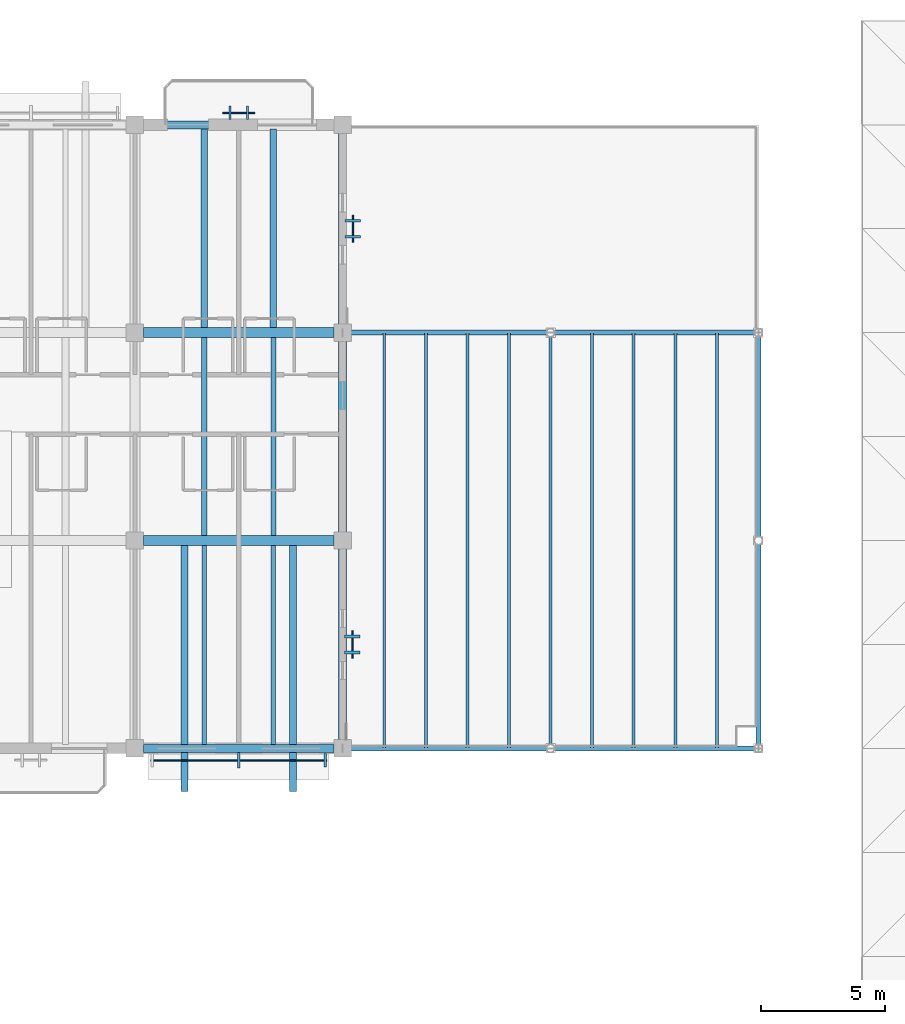
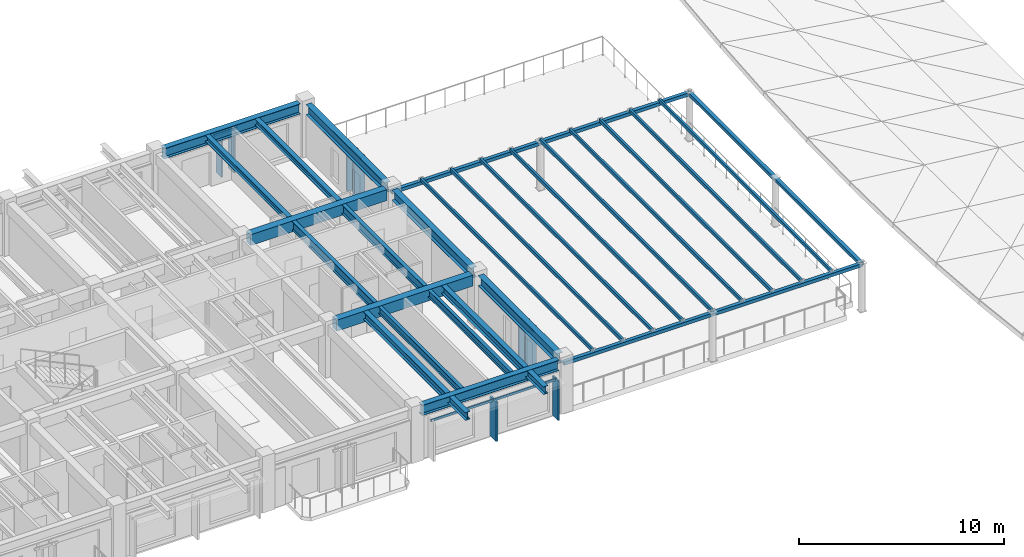
# One storey, part 58 of 93: 24 members, 15 beams, 4 elements without a shape of their own.
"""IFC4 building model written with IfcOpenShell, lengths in metres."""

from ifc_helpers import new_model, si_unit, direction, frame, origin, origin_2d, place, context, subcontext, project, spatial, rectangle, hollow_rectangle, i_section, extrude, material, material_profile, profile_set, type_object, element, aggregate, save


model = new_model("IFC4")

# Units and contexts
model_context = context("Model", 3, precision=1e-05, world=origin(), true_north=direction((0.0, 1.0)))
body_context = subcontext(model_context, "Body", "Model", "MODEL_VIEW")
ifc_project = project(units=[si_unit("LENGTHUNIT", "METRE"), si_unit("AREAUNIT", "SQUARE_METRE"), si_unit("VOLUMEUNIT", "CUBIC_METRE"), si_unit("PLANEANGLEUNIT", "RADIAN"), si_unit("MASSUNIT", "GRAM", prefix="KILO")], contexts=[model_context])

# Site, building, storey
site_placement = place(None, origin())
site = spatial("IfcSite", under=ifc_project, at=site_placement, CompositionType="ELEMENT")
building_placement = place(site_placement, origin())
building = spatial("IfcBuilding", under=site, at=building_placement, Name="Cumbredor Promenade Congress Hotel", CompositionType="ELEMENT")
storey_placement = place(building_placement, frame((0.0, 0.0, 21.840087890625)))
storey = spatial("IfcBuildingStorey", under=building, at=storey_placement, Name="L06", CompositionType="ELEMENT", Elevation=21.840087890625)

# Beams
ifc_material_1 = material(Name="Concrete C40/50", Category="concrete")
ifc_material_profile_1 = material_profile(ifc_material_1, rectangle(XDim=0.39990234375, YDim=0.64990234375, at=origin_2d()), Name="RC BEAM 400x650")
ifc_profile_set_1 = profile_set([ifc_material_profile_1], Name="Concrete C40/50")
beam_type_1 = type_object("IfcBeamType", Name="BM-RC-400x650", PredefinedType="BEAM", material=ifc_profile_set_1)
for number, where, z_axis, x_axis, name in (
    (1, (59.14990234375, 100.800048828125, 2.794921875), (1.0, 0.0, 0.0), (0.0, 1.0, 0.0), "L07 X-Grid Beam 047"),
    (2, (59.14990234375, 109.199951171875, 2.794921875), (1.0, 0.0, 0.0), (0.0, 1.0, 0.0), "L07 X-Grid Beam 049"),
):
    element("IfcBeam", number, at=place(storey_placement, frame(where, z_axis=z_axis, x_axis=x_axis)), inside=storey, type_object=beam_type_1, Name=name, PredefinedType="BEAM", context=body_context, shape_type="SweptSolid", body=[
        extrude(rectangle(XDim=0.39990234375, YDim=0.64990234375, at=origin_2d()), origin(), (0.0, 0.0, 1.0), 7.7001953125),
    ])
ifc_material_2 = material(Name="Steel ASTM A992 Grade 50", Category="steel")
ifc_material_profile_2 = material_profile(ifc_material_2, i_section(OverallWidth=0.323974609375, OverallDepth=0.611083984375, WebThickness=0.0126953125, FlangeThickness=0.01904296875, at=origin_2d()), Name="W24X104")
ifc_profile_set_2 = profile_set([ifc_material_profile_2], Name="Steel ASTM A992 Grade 50")
beam_type_2 = type_object("IfcBeamType", Name="BM-W24X104", PredefinedType="BEAM", material=ifc_profile_set_2)
for number, where, z_axis, x_axis, name in (
    (3, (59.14990234375, 92.39990234375, 2.814453125), (1.0, 0.0, 0.0), (0.0, 1.0, 0.0), "L07 X-Grid Beam 045"),
    (4, (59.14990234375, 117.60009765625, 2.814453125), (1.0, 0.0, 0.0), (0.0, 1.0, 0.0), "L07 X-Grid Beam 051"),
):
    element("IfcBeam", number, at=place(storey_placement, frame(where, z_axis=z_axis, x_axis=x_axis)), inside=storey, type_object=beam_type_2, Name=name, PredefinedType="BEAM", context=body_context, shape_type="SweptSolid", body=[
        extrude(i_section(OverallWidth=0.323974609375, OverallDepth=0.611083984375, WebThickness=0.0126953125, FlangeThickness=0.01904296875, at=origin_2d()), origin(), (0.0, 0.0, 1.0), 7.7001953125),
    ])

# Curtain wall, member
ifc_material_3 = material(Name="Thermally broken anodized aluminium and low-E glass", Category="aluminium")
curtain_wall_type = type_object("IfcCurtainWallType", Name="Solar Brise-Soleil Screen Assembly CW-07", PredefinedType="NOTDEFINED", material=ifc_material_3)
curtain_wall_1_placement = place(storey_placement, origin())
curtain_wall_1 = element("IfcCurtainWall", 5, at=curtain_wall_1_placement, inside=storey, type_object=curtain_wall_type, Name="L06 Hospitality Brise-Soleil Screen 091", PredefinedType="NOTDEFINED")
ifc_material_4 = material(Name="Thermally broken anodized aluminium", Category="aluminium")
ifc_material_profile_3 = material_profile(ifc_material_4, rectangle(XDim=0.06494140625, YDim=0.1298828125, at=origin_2d()), Name="ALU TRANSOM 65x130")
ifc_profile_set_3 = profile_set([ifc_material_profile_3], Name="Thermally broken anodized aluminium")
member_type_1 = type_object("IfcMemberType", Name="Curtain Wall Transom TR-01", PredefinedType="USERDEFINED", material=ifc_profile_set_3)
member_1_placement = place(storey_placement, frame((59.450927734375, 91.9150390625, 2.31396484375), z_axis=(1.0, 0.0, 0.0), x_axis=(0.0, 1.0, 0.0)))
member_1 = element("IfcMember", 6, at=member_1_placement, type_object=member_type_1, Name="L06 Brise-Soleil Screen Transom 091", ObjectType="TRANSOM", PredefinedType="USERDEFINED", context=body_context, shape_type="SweptSolid", body=[
    extrude(rectangle(XDim=0.06494140625, YDim=0.1298828125, at=origin_2d()), origin(), (0.0, 0.0, 1.0), 7.09814453125),
])

curtain_wall_2_placement = place(storey_placement, origin())
curtain_wall_2 = element("IfcCurtainWall", 7, at=curtain_wall_2_placement, inside=storey, type_object=curtain_wall_type, Name="L06 Veranda Solar Brise-Soleil Screen 964", PredefinedType="NOTDEFINED")
member_2_placement = place(storey_placement, frame((62.35009765625, 118.0849609375, 2.413818359375), z_axis=(1.0, 0.0, 0.0), x_axis=(0.0, 1.0, 0.0)))
member_2 = element("IfcMember", 8, at=member_2_placement, type_object=member_type_1, Name="L06 Brise-Soleil Header Tie 0966", ObjectType="TRANSOM", PredefinedType="USERDEFINED", context=body_context, shape_type="SweptSolid", body=[
    extrude(rectangle(XDim=0.06494140625, YDim=0.1298828125, at=origin_2d()), origin(), (0.0, 0.0, 1.0), 1.2998046875),
])

curtain_wall_3_placement = place(storey_placement, origin())
curtain_wall_3 = element("IfcCurtainWall", 9, at=curtain_wall_3_placement, inside=storey, type_object=curtain_wall_type, Name="L06 Pier Brise-Soleil Screen 0976", PredefinedType="NOTDEFINED")
member_3_placement = place(storey_placement, frame((67.590087890625, 96.050048828125, 2.333984375), z_axis=(0.0, 1.0, 0.0), x_axis=(-1.0, 0.0, 0.0)))
member_3 = element("IfcMember", 10, at=member_3_placement, type_object=member_type_1, Name="L06 Pier Brise-Soleil Header 0978", ObjectType="TRANSOM", PredefinedType="USERDEFINED", context=body_context, shape_type="SweptSolid", body=[
    extrude(rectangle(XDim=0.06494140625, YDim=0.1298828125, at=origin_2d()), origin(), (0.0, 0.0, 1.0), 1.099853515625),
])

curtain_wall_4_placement = place(storey_placement, origin())
curtain_wall_4 = element("IfcCurtainWall", 11, at=curtain_wall_4_placement, inside=storey, type_object=curtain_wall_type, Name="L06 Pier Brise-Soleil Screen 0979", PredefinedType="NOTDEFINED")
member_4_placement = place(storey_placement, frame((67.610107421875, 112.85009765625, 2.333984375), z_axis=(0.0, 1.0, 0.0), x_axis=(-1.0, 0.0, 0.0)))
member_4 = element("IfcMember", 12, at=member_4_placement, type_object=member_type_1, Name="L06 Pier Brise-Soleil Header 0981", ObjectType="TRANSOM", PredefinedType="USERDEFINED", context=body_context, shape_type="SweptSolid", body=[
    extrude(rectangle(XDim=0.06494140625, YDim=0.1298828125, at=origin_2d()), origin(), (0.0, 0.0, 1.0), 1.099853515625),
])

# Beams
ifc_material_profile_4 = material_profile(ifc_material_2, i_section(OverallWidth=0.2548828125, OverallDepth=0.35693359375, WebThickness=0.010498046875, FlangeThickness=0.018310546875, at=origin_2d()), Name="W14X68")
ifc_profile_set_4 = profile_set([ifc_material_profile_4], Name="Steel ASTM A992 Grade 50")
beam_type_3 = type_object("IfcBeamType", Name="JST-W14X68", PredefinedType="JOIST", material=ifc_profile_set_4)
for number, where, z_axis, x_axis, name in (
    (13, (61.60009765625, 109.39990234375, 2.94140625), (0.0, 1.0, 0.0), (-1.0, 0.0, 0.0), "L07 Secondary Floor Joist 0033"),
    (14, (64.39990234375, 109.39990234375, 2.94140625), (0.0, 1.0, 0.0), (-1.0, 0.0, 0.0), "L07 Secondary Floor Joist 0034"),
):
    element("IfcBeam", number, at=place(storey_placement, frame(where, z_axis=z_axis, x_axis=x_axis)), inside=storey, type_object=beam_type_3, Name=name, PredefinedType="JOIST", context=body_context, shape_type="SweptSolid", body=[
        extrude(i_section(OverallWidth=0.2548828125, OverallDepth=0.35693359375, WebThickness=0.010498046875, FlangeThickness=0.018310546875, at=origin_2d()), origin(), (0.0, 0.0, 1.0), 8.0380859375),
    ])
ifc_material_profile_5 = material_profile(ifc_material_2, i_section(OverallWidth=0.180908203125, OverallDepth=0.4169921875, WebThickness=0.010986328125, FlangeThickness=0.018310546875, at=origin_2d()), Name="W16X57")
ifc_profile_set_5 = profile_set([ifc_material_profile_5], Name="Steel ASTM A992 Grade 50")
beam_type_4 = type_object("IfcBeamType", Name="JST-W16X57", PredefinedType="JOIST", material=ifc_profile_set_5)
for number, where, z_axis, x_axis, name in (
    (15, (61.60009765625, 92.56201171875, 2.911376953125), (0.0, 1.0, 0.0), (-1.0, 0.0, 0.0), "L07 Secondary Floor Joist 0029"),
    (16, (64.39990234375, 92.56201171875, 2.911376953125), (0.0, 1.0, 0.0), (-1.0, 0.0, 0.0), "L07 Secondary Floor Joist 0030"),
):
    element("IfcBeam", number, at=place(storey_placement, frame(where, z_axis=z_axis, x_axis=x_axis)), inside=storey, type_object=beam_type_4, Name=name, PredefinedType="JOIST", context=body_context, shape_type="SweptSolid", body=[
        extrude(i_section(OverallWidth=0.180908203125, OverallDepth=0.4169921875, WebThickness=0.010986328125, FlangeThickness=0.018310546875, at=origin_2d()), origin(), (0.0, 0.0, 1.0), 8.0380859375),
    ])
ifc_material_profile_6 = material_profile(ifc_material_2, i_section(OverallWidth=0.280029296875, OverallDepth=0.462890625, WebThickness=0.0107421875, FlangeThickness=0.017333984375, at=origin_2d()), Name="W18X76")
ifc_profile_set_6 = profile_set([ifc_material_profile_6], Name="Steel ASTM A992 Grade 50")
beam_type_5 = type_object("IfcBeamType", Name="JST-W18X76", PredefinedType="JOIST", material=ifc_profile_set_6)
for number, where, z_axis, x_axis, name in (
    (17, (60.800048828125, 90.64990234375, 2.888427734375), (0.0, 1.0, 0.0), (-1.0, 0.0, 0.0), "L07 Balcony Back-Spanned Outrigger Beam 048.1"),
    (18, (65.199951171875, 90.64990234375, 2.888427734375), (0.0, 1.0, 0.0), (-1.0, 0.0, 0.0), "L07 Balcony Back-Spanned Outrigger Beam 048.2"),
):
    element("IfcBeam", number, at=place(storey_placement, frame(where, z_axis=z_axis, x_axis=x_axis)), inside=storey, type_object=beam_type_5, Name=name, PredefinedType="JOIST", context=body_context, shape_type="SweptSolid", body=[
        extrude(i_section(OverallWidth=0.280029296875, OverallDepth=0.462890625, WebThickness=0.0107421875, FlangeThickness=0.017333984375, at=origin_2d()), origin(), (0.0, 0.0, 1.0), 10.150146484375),
    ])
ifc_material_profile_7 = material_profile(ifc_material_2, i_section(OverallWidth=0.214111328125, OverallDepth=0.549072265625, WebThickness=0.0146484375, FlangeThickness=0.023681640625, at=origin_2d()), Name="W21X93")
ifc_profile_set_7 = profile_set([ifc_material_profile_7], Name="Steel ASTM A992 Grade 50")
beam_type_6 = type_object("IfcBeamType", Name="JST-W21X93", PredefinedType="JOIST", material=ifc_profile_set_7)
for number, where, z_axis, x_axis, name in (
    (19, (61.60009765625, 101.0, 2.845458984375), (0.0, 1.0, 0.0), (-1.0, 0.0, 0.0), "L07 Secondary Floor Joist 0031"),
    (20, (64.39990234375, 101.0, 2.845458984375), (0.0, 1.0, 0.0), (-1.0, 0.0, 0.0), "L07 Secondary Floor Joist 0032"),
):
    element("IfcBeam", number, at=place(storey_placement, frame(where, z_axis=z_axis, x_axis=x_axis)), inside=storey, type_object=beam_type_6, Name=name, PredefinedType="JOIST", context=body_context, shape_type="SweptSolid", body=[
        extrude(i_section(OverallWidth=0.214111328125, OverallDepth=0.549072265625, WebThickness=0.0146484375, FlangeThickness=0.023681640625, at=origin_2d()), origin(), (0.0, 0.0, 1.0), 8.0),
    ])

# Members
ifc_material_5 = material(Name="Steel ASTM A500 Grade C", Category="steel")
ifc_material_profile_8 = material_profile(ifc_material_5, hollow_rectangle(XDim=0.199951171875, YDim=0.199951171875, WallThickness=0.012451171875, at=origin_2d()), Name="HSS 200x200x12.5")
ifc_profile_set_8 = profile_set([ifc_material_profile_8], Name="Steel ASTM A500 Grade C")
member_type_2 = type_object("IfcMemberType", Name="Link Bridge Truss Chord", PredefinedType="CHORD", material=ifc_profile_set_8)
for number, where, z_axis, x_axis, name in (
    (21, (67.199951171875, 92.39990234375, 2.75), (1.0, 0.0, 0.0), (0.0, 1.0, 0.0), "L06 Sky-Garden Pergola Tie Beam 3S"),
    (22, (67.199951171875, 109.199951171875, 2.75), (1.0, 0.0, 0.0), (0.0, 1.0, 0.0), "L06 Sky-Garden Pergola Tie Beam 3N"),
    (23, (84.0, 92.39990234375, 2.75), (0.0, 1.0, 0.0), (-1.0, 0.0, 0.0), "L06 Sky-Garden Pergola Tie Beam 3E"),
):
    element("IfcMember", number, at=place(storey_placement, frame(where, z_axis=z_axis, x_axis=x_axis)), inside=storey, type_object=member_type_2, Name=name, PredefinedType="CHORD", context=body_context, shape_type="SweptSolid", body=[
        extrude(hollow_rectangle(XDim=0.199951171875, YDim=0.199951171875, WallThickness=0.012451171875, at=origin_2d()), origin(), (0.0, 0.0, 1.0), 16.800048828125),
    ])
ifc_material_profile_9 = material_profile(ifc_material_5, hollow_rectangle(XDim=0.1201171875, YDim=0.199951171875, WallThickness=0.010009765625, at=origin_2d()), Name="HSS 200x120x10")
ifc_profile_set_9 = profile_set([ifc_material_profile_9], Name="Steel ASTM A500 Grade C")
member_type_3 = type_object("IfcMemberType", Name="Roof Purlin HSS200x120", PredefinedType="PURLIN", material=ifc_profile_set_9)
for number, where, z_axis, x_axis, name in (
    (24, (68.8798828125, 92.39990234375, 2.89990234375), (0.0, 1.0, 0.0), (-1.0, 0.0, 0.0), "L06 Sky-Garden Trellis Slat 3.2"),
    (25, (70.56005859375, 92.39990234375, 2.89990234375), (0.0, 1.0, 0.0), (-1.0, 0.0, 0.0), "L06 Sky-Garden Trellis Slat 3.3"),
    (26, (72.239990234375, 92.39990234375, 2.89990234375), (0.0, 1.0, 0.0), (-1.0, 0.0, 0.0), "L06 Sky-Garden Trellis Slat 3.4"),
    (27, (73.919921875, 92.39990234375, 2.89990234375), (0.0, 1.0, 0.0), (-1.0, 0.0, 0.0), "L06 Sky-Garden Trellis Slat 3.5"),
    (28, (75.60009765625, 92.39990234375, 2.89990234375), (0.0, 1.0, 0.0), (-1.0, 0.0, 0.0), "L06 Sky-Garden Trellis Slat 3.6"),
    (29, (77.280029296875, 92.39990234375, 2.89990234375), (0.0, 1.0, 0.0), (-1.0, 0.0, 0.0), "L06 Sky-Garden Trellis Slat 3.7"),
    (30, (78.9599609375, 92.39990234375, 2.89990234375), (0.0, 1.0, 0.0), (-1.0, 0.0, 0.0), "L06 Sky-Garden Trellis Slat 3.8"),
    (31, (80.639892578125, 92.39990234375, 2.89990234375), (0.0, 1.0, 0.0), (-1.0, 0.0, 0.0), "L06 Sky-Garden Trellis Slat 3.9"),
    (32, (82.320068359375, 92.39990234375, 2.89990234375), (0.0, 1.0, 0.0), (-1.0, 0.0, 0.0), "L06 Sky-Garden Trellis Slat 3.10"),
):
    element("IfcMember", number, at=place(storey_placement, frame(where, z_axis=z_axis, x_axis=x_axis)), inside=storey, type_object=member_type_3, Name=name, PredefinedType="PURLIN", context=body_context, shape_type="SweptSolid", body=[
        extrude(hollow_rectangle(XDim=0.1201171875, YDim=0.199951171875, WallThickness=0.010009765625, at=origin_2d()), origin(), (0.0, 0.0, 1.0), 16.800048828125),
    ])

# Beams
ifc_material_profile_10 = material_profile(ifc_material_2, i_section(OverallWidth=0.323974609375, OverallDepth=0.611083984375, WebThickness=0.0126953125, FlangeThickness=0.01904296875, at=origin_2d()), Name="W24X104")
ifc_profile_set_10 = profile_set([ifc_material_profile_10], Name="Steel ASTM A992 Grade 50")
beam_type_7 = type_object("IfcBeamType", Name="SP-W24X104", PredefinedType="SPANDREL", material=ifc_profile_set_10)
beam_1_placement = place(storey_placement, frame((67.199951171875, 92.75, 2.814453125), z_axis=(0.0, 1.0, 0.0), x_axis=(-1.0, 0.0, 0.0)))
element("IfcBeam", 33, at=beam_1_placement, inside=storey, type_object=beam_type_7, Name="L07 Y-Grid Beam 052", PredefinedType="SPANDREL", context=body_context, shape_type="SweptSolid", body=[
    extrude(i_section(OverallWidth=0.323974609375, OverallDepth=0.611083984375, WebThickness=0.0126953125, FlangeThickness=0.01904296875, at=origin_2d()), origin(), (0.0, 0.0, 1.0), 7.699951171875),
])
beam_2_placement = place(storey_placement, frame((67.199951171875, 101.14990234375, 2.814453125), z_axis=(0.0, 1.0, 0.0), x_axis=(-1.0, 0.0, 0.0)))
element("IfcBeam", 34, at=beam_2_placement, inside=storey, type_object=beam_type_7, Name="L07 Y-Grid Beam 053", PredefinedType="SPANDREL", context=body_context, shape_type="SweptSolid", body=[
    extrude(i_section(OverallWidth=0.323974609375, OverallDepth=0.611083984375, WebThickness=0.0126953125, FlangeThickness=0.01904296875, at=origin_2d()), origin(), (0.0, 0.0, 1.0), 7.7001953125),
])
beam_3_placement = place(storey_placement, frame((67.199951171875, 109.550048828125, 2.814453125), z_axis=(0.0, 1.0, 0.0), x_axis=(-1.0, 0.0, 0.0)))
element("IfcBeam", 35, at=beam_3_placement, inside=storey, type_object=beam_type_7, Name="L07 Y-Grid Beam 054", PredefinedType="SPANDREL", context=body_context, shape_type="SweptSolid", body=[
    extrude(i_section(OverallWidth=0.323974609375, OverallDepth=0.611083984375, WebThickness=0.0126953125, FlangeThickness=0.01904296875, at=origin_2d()), origin(), (0.0, 0.0, 1.0), 7.699951171875),
])

# Member
ifc_material_profile_11 = material_profile(ifc_material_4, rectangle(XDim=0.110107421875, YDim=0.6201171875, at=origin_2d()), Name="ARCH FIN 110x620")
ifc_profile_set_11 = profile_set([ifc_material_profile_11], Name="Thermally broken anodized aluminium")
member_type_4 = type_object("IfcMemberType", Name="Vertical Bronze Brise-Soleil Fin BSF-02 110x620", PredefinedType="USERDEFINED", material=ifc_profile_set_11)
member_5_placement = place(storey_placement, frame((63.0, 91.9150390625, 0.02001953125), z_axis=(0.0, 0.0, 1.0), x_axis=(1.0, 0.0, 0.0)))
member_5 = element("IfcMember", 36, at=member_5_placement, type_object=member_type_4, Name="L06 Vertical Brise-Soleil Fin 0944", ObjectType="SOLAR FIN", PredefinedType="USERDEFINED", context=body_context, shape_type="SweptSolid", body=[
    extrude(rectangle(XDim=0.110107421875, YDim=0.6201171875, at=origin_2d()), origin(), (0.0, 0.0, 1.0), 2.35400390625),
])

member_6_placement = place(storey_placement, frame((67.590087890625, 96.280029296875, 0.02001953125), z_axis=(0.0, 0.0, 1.0), x_axis=(0.0, 1.0, 0.0)))
member_6 = element("IfcMember", 37, at=member_6_placement, type_object=member_type_4, Name="L06 Pier Brise-Soleil Fin 0977", ObjectType="SOLAR FIN", PredefinedType="USERDEFINED", context=body_context, shape_type="SweptSolid", body=[
    extrude(rectangle(XDim=0.110107421875, YDim=0.6201171875, at=origin_2d()), origin(), (0.0, 0.0, 1.0), 2.35400390625),
])

member_7_placement = place(storey_placement, frame((67.590087890625, 96.919921875, 0.02001953125), z_axis=(0.0, 0.0, 1.0), x_axis=(0.0, 1.0, 0.0)))
member_7 = element("IfcMember", 38, at=member_7_placement, type_object=member_type_4, Name="L06 Pier Brise-Soleil Fin 0978", ObjectType="SOLAR FIN", PredefinedType="USERDEFINED", context=body_context, shape_type="SweptSolid", body=[
    extrude(rectangle(XDim=0.110107421875, YDim=0.6201171875, at=origin_2d()), origin(), (0.0, 0.0, 1.0), 2.35400390625),
])

aggregate(curtain_wall_3, [member_6, member_7, member_3])

member_8_placement = place(storey_placement, frame((67.610107421875, 113.080078125, 0.02001953125), z_axis=(0.0, 0.0, 1.0), x_axis=(0.0, 1.0, 0.0)))
member_8 = element("IfcMember", 39, at=member_8_placement, type_object=member_type_4, Name="L06 Pier Brise-Soleil Fin 0980", ObjectType="SOLAR FIN", PredefinedType="USERDEFINED", context=body_context, shape_type="SweptSolid", body=[
    extrude(rectangle(XDim=0.110107421875, YDim=0.6201171875, at=origin_2d()), origin(), (0.0, 0.0, 1.0), 2.35400390625),
])

member_9_placement = place(storey_placement, frame((67.610107421875, 113.719970703125, 0.02001953125), z_axis=(0.0, 0.0, 1.0), x_axis=(0.0, 1.0, 0.0)))
member_9 = element("IfcMember", 40, at=member_9_placement, type_object=member_type_4, Name="L06 Pier Brise-Soleil Fin 0981", ObjectType="SOLAR FIN", PredefinedType="USERDEFINED", context=body_context, shape_type="SweptSolid", body=[
    extrude(rectangle(XDim=0.110107421875, YDim=0.6201171875, at=origin_2d()), origin(), (0.0, 0.0, 1.0), 2.35400390625),
])

aggregate(curtain_wall_4, [member_8, member_9, member_4])

ifc_material_6 = material(Name="Kiln-dried tropical hardwood", Category="wood")
ifc_material_profile_12 = material_profile(ifc_material_6, rectangle(XDim=0.090087890625, YDim=0.550048828125, at=origin_2d()), Name="ARCH FIN 90x550")
ifc_profile_set_12 = profile_set([ifc_material_profile_12], Name="Kiln-dried tropical hardwood")
member_type_5 = type_object("IfcMemberType", Name="Vertical Hardwood Brise-Soleil Fin BSF-01 90x550", PredefinedType="USERDEFINED", material=ifc_profile_set_12)
member_10_placement = place(storey_placement, frame((66.4990234375, 91.9150390625, 0.02001953125), z_axis=(0.0, 0.0, 1.0), x_axis=(1.0, 0.0, 0.0)))
member_10 = element("IfcMember", 41, at=member_10_placement, type_object=member_type_5, Name="L06 Vertical Brise-Soleil Fin 0945", ObjectType="SOLAR FIN", PredefinedType="USERDEFINED", context=body_context, shape_type="SweptSolid", body=[
    extrude(rectangle(XDim=0.090087890625, YDim=0.550048828125, at=origin_2d()), origin(), (0.0, 0.0, 1.0), 2.35400390625),
])

aggregate(curtain_wall_1, [member_1, member_5, member_10])

member_11_placement = place(storey_placement, frame((62.64990234375, 118.0849609375, -0.010009765625), z_axis=(0.0, 0.0, 1.0), x_axis=(1.0, 0.0, 0.0)))
member_11 = element("IfcMember", 42, at=member_11_placement, type_object=member_type_5, Name="L06 Vertical Hardwood Brise-Soleil Fin 0965", ObjectType="SOLAR FIN", PredefinedType="USERDEFINED", context=body_context, shape_type="SweptSolid", body=[
    extrude(rectangle(XDim=0.090087890625, YDim=0.550048828125, at=origin_2d()), origin(), (0.0, 0.0, 1.0), 2.48388671875),
])

member_12_placement = place(storey_placement, frame((63.35009765625, 118.0849609375, -0.010009765625), z_axis=(0.0, 0.0, 1.0), x_axis=(1.0, 0.0, 0.0)))
member_12 = element("IfcMember", 43, at=member_12_placement, type_object=member_type_5, Name="L06 Vertical Hardwood Brise-Soleil Fin 0966", ObjectType="SOLAR FIN", PredefinedType="USERDEFINED", context=body_context, shape_type="SweptSolid", body=[
    extrude(rectangle(XDim=0.090087890625, YDim=0.550048828125, at=origin_2d()), origin(), (0.0, 0.0, 1.0), 2.48388671875),
])

aggregate(curtain_wall_2, [member_11, member_12, member_2])

save(model, "model.ifc")
